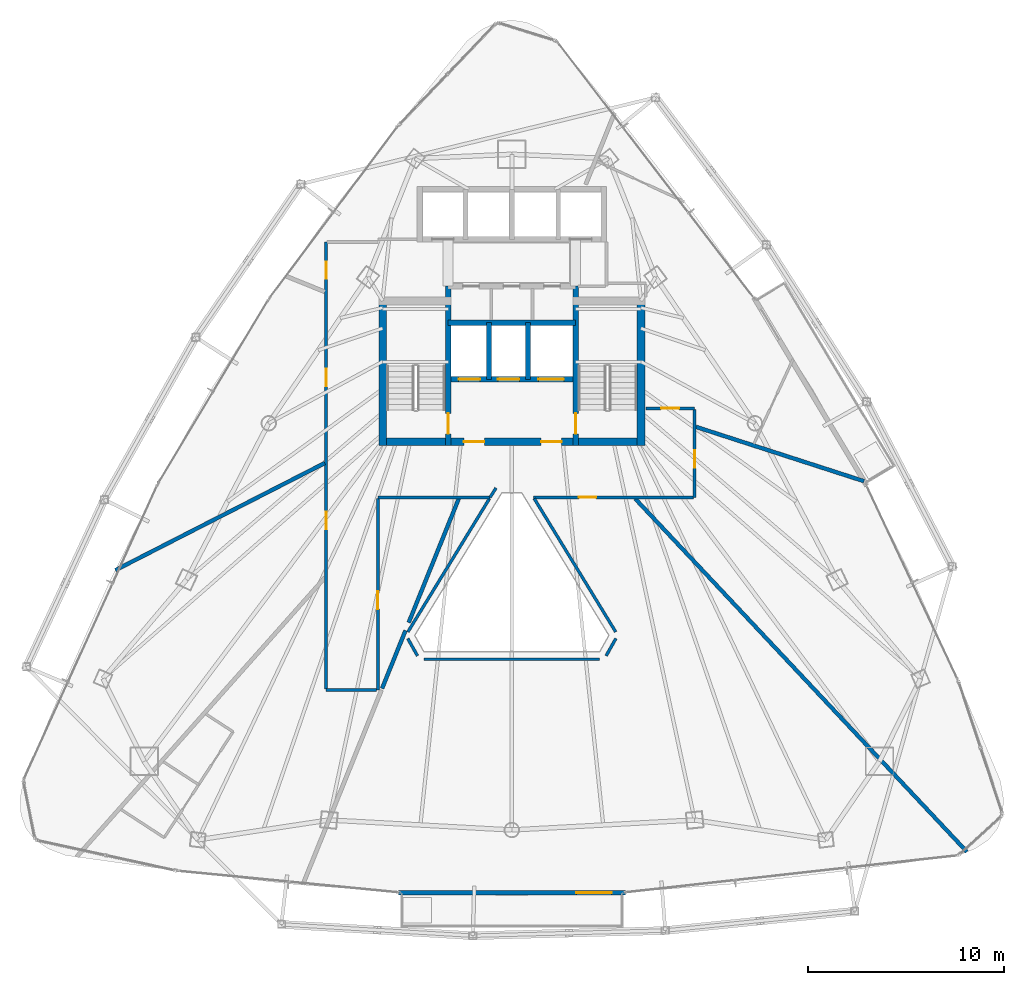
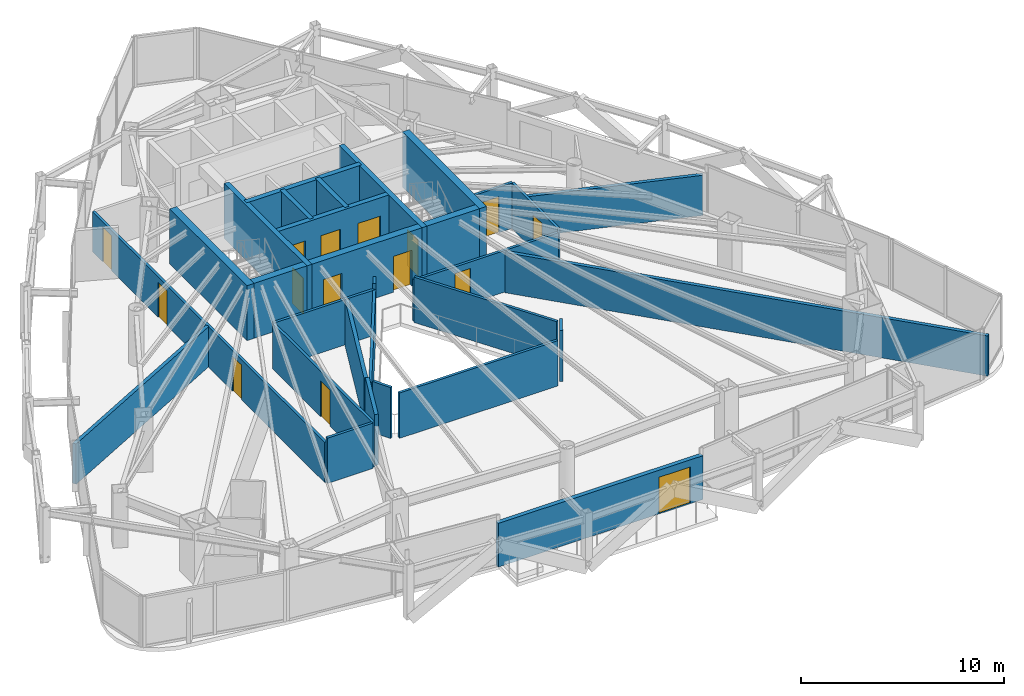
# One storey, part 27 of 31: 28 walls, 15 doors, 15 openings.
"""IFC4 building model written with IfcOpenShell, lengths in metres."""

from ifc_helpers import new_model, si_unit, direction, frame, frame_2d, origin, place, context, subcontext, project, spatial, rectangle, extrude, material, layer, layer_set, type_object, element, fill, save


model = new_model("IFC4")

# Units and contexts
model_context = context("Model", 3, precision=1e-05, world=origin(), true_north=direction((0.0, 1.0)))
body_context = subcontext(model_context, "Body", "Model", "MODEL_VIEW")
ifc_project = project(units=[si_unit("LENGTHUNIT", "METRE"), si_unit("AREAUNIT", "SQUARE_METRE"), si_unit("VOLUMEUNIT", "CUBIC_METRE"), si_unit("PLANEANGLEUNIT", "RADIAN"), si_unit("MASSUNIT", "GRAM", prefix="KILO")], contexts=[model_context])

# Site, building, storey
site_placement = place(None, origin())
site = spatial("IfcSite", under=ifc_project, at=site_placement, CompositionType="ELEMENT")
building_placement = place(site_placement, origin())
building = spatial("IfcBuilding", under=site, at=building_placement, Name="Orvanel Arch Residences", CompositionType="ELEMENT")
storey_placement = place(building_placement, frame((0.0, 0.0, 150.64990234375)))
storey = spatial("IfcBuildingStorey", under=building, at=storey_placement, Name="L42", CompositionType="ELEMENT", Elevation=150.64990234375)

# Wall, opening, door
ifc_material_1 = material(Name="Precast concrete N50 (50 MPa)", Category="concrete")
ifc_layer_1 = layer(ifc_material_1, 0.239990234375)
ifc_layer_set_1 = layer_set([ifc_layer_1], Name="Precast concrete N50 (50 MPa)")
wall_type_1 = type_object("IfcWallType", Name="EW-BAL-240", PredefinedType="SOLIDWALL", material=ifc_layer_set_1)
wall_1_placement = place(storey_placement, frame((27.197998046875, 3.64111328125, 0.0), z_axis=(0.0, 0.0, 1.0), x_axis=(1.0, 0.0, 0.0)))
wall_1 = element("IfcWall", 1, at=wall_1_placement, inside=storey, type_object=wall_type_1, Name="L42 Balcony Threshold Wall Face 2", PredefinedType="SOLIDWALL", context=body_context, shape_type="SweptSolid", body=[
    extrude(rectangle(XDim=11.60400390625, YDim=0.239990234375, at=frame_2d((5.802001953125, 0.0))), origin(), (0.0, 0.0, 1.0), 2.6240234375),
])
opening_1_placement = place(wall_1_placement, frame((9.10693359375, 0.0, 0.0)))
opening_1 = element("IfcOpeningElement", 2, at=opening_1_placement, cuts=wall_1, Name="Opening DB-180", PredefinedType="OPENING", context=body_context, shape_type="SweptSolid", body=[
    extrude(rectangle(XDim=1.800048828125, YDim=2.199951171875, at=frame_2d((0.89990234375, 1.10009765625))), frame((0.0, 0.1298828125, 0.0), z_axis=(0.0, -1.0, 0.0), x_axis=(1.0, 0.0, 0.0)), (0.0, 0.0, 1.0), 0.260009765625),
])
ifc_material_2 = material(Name="Bronze-anodised aluminium AA6063-T6", Category="aluminium")
door_type_1 = type_object("IfcDoorType", Name="DR-BAL-1800", OperationType="NOTDEFINED", PredefinedType="DOOR", material=ifc_material_2)
door_1_placement = place(opening_1_placement, origin())
door_1 = element("IfcDoor", 3, at=door_1_placement, inside=storey, type_object=door_type_1, Name="DR-L42-BAL-F2 L42 Planted Balcony Access Door Face 2", OperationType="SINGLE_SWING_LEFT", OverallHeight=2.199951171875, OverallWidth=1.800048828125, PredefinedType="DOOR", context=body_context, shape_type="SweptSolid", body=[
    extrude(rectangle(XDim=1.800048828125, YDim=2.199951171875, at=frame_2d((0.89990234375, 1.10009765625))), frame((0.0, 0.02490234375, 0.0), z_axis=(0.0, -1.0, 0.0), x_axis=(1.0, 0.0, 0.0)), (0.0, 0.0, 1.0), 0.050048828125),
])
fill(opening_1, door_1)

# Walls
ifc_material_3 = material(Name="Concrete N50 (50 MPa)", Category="concrete")
ifc_layer_2 = layer(ifc_material_3, 0.25)
ifc_layer_set_2 = layer_set([ifc_layer_2], Name="Concrete N50 (50 MPa)")
wall_type_2 = type_object("IfcWallType", Name="SW-CORE-250", PredefinedType="SHEAR", material=ifc_layer_set_2)
for number, where, z_axis, x_axis, name in (
    (4, (31.824951171875, 29.889892578125, 0.0), (0.0, 0.0, 1.0), (0.0, 1.0, 0.0), "L42 Emergency Lift Inter-Shaft Wall F12"),
    (5, (33.824951171875, 29.889892578125, 0.0), (0.0, 0.0, 1.0), (0.0, 1.0, 0.0), "L42 Emergency Lift Inter-Shaft Wall F2G"),
):
    element("IfcWall", number, at=place(storey_placement, frame(where, z_axis=z_axis, x_axis=x_axis)), inside=storey, type_object=wall_type_2, Name=name, PredefinedType="SHEAR", context=body_context, shape_type="SweptSolid", body=[
        extrude(rectangle(XDim=2.900146484375, YDim=0.25, at=frame_2d((1.4501953125, 0.0))), origin(), (0.0, 0.0, 1.0), 3.300048828125),
    ])

# Wall, opening, door
ifc_material_4 = material(Name="Concrete S65 (65 MPa)", Category="concrete")
ifc_layer_3 = layer(ifc_material_4, 0.280029296875)
ifc_layer_set_3 = layer_set([ifc_layer_3], Name="Concrete S65 (65 MPa)")
wall_type_3 = type_object("IfcWallType", Name="SW-CORE-280", PredefinedType="SHEAR", material=ifc_layer_set_3)
wall_2_placement = place(storey_placement, frame((29.739990234375, 26.5, 0.0), z_axis=(0.0, 0.0, 1.0), x_axis=(0.0, 1.0, 0.0)))
wall_2 = element("IfcWall", 6, at=wall_2_placement, inside=storey, type_object=wall_type_3, Name="L42 West Inner Core Spine Shear Wall", PredefinedType="SHEAR", context=body_context, shape_type="SweptSolid", body=[
    extrude(rectangle(XDim=8.14990234375, YDim=0.280029296875, at=frame_2d((4.074951171875, 0.0))), origin(), (0.0, 0.0, 1.0), 3.300048828125),
])
opening_2_placement = place(wall_2_placement, frame((0.60009765625, 0.0, 0.0)))
opening_2 = element("IfcOpeningElement", 7, at=opening_2_placement, cuts=wall_2, Name="Opening DF-120", PredefinedType="OPENING", context=body_context, shape_type="SweptSolid", body=[
    extrude(rectangle(XDim=1.050048828125, YDim=2.14990234375, at=frame_2d((0.52490234375, 1.074951171875))), frame((0.0, 0.14990234375, 0.0), z_axis=(0.0, -1.0, 0.0), x_axis=(1.0, 0.0, 0.0)), (0.0, 0.0, 1.0), 0.300048828125),
])
ifc_material_5 = material(Name="Galvanised steel fire-resisting door assembly", Category="steel")
door_type_2 = type_object("IfcDoorType", Name="DR-FD120-1050", OperationType="NOTDEFINED", PredefinedType="DOOR", material=ifc_material_5)
door_2_placement = place(opening_2_placement, origin())
door_2 = element("IfcDoor", 8, at=door_2_placement, inside=storey, type_object=door_type_2, Name="DR-L42-ST1 L42 Stair 1 Fire Door", OperationType="SINGLE_SWING_LEFT", OverallHeight=2.14990234375, OverallWidth=1.050048828125, PredefinedType="DOOR", context=body_context, shape_type="SweptSolid", body=[
    extrude(rectangle(XDim=1.050048828125, YDim=2.14990234375, at=frame_2d((0.52490234375, 1.074951171875))), frame((0.0, 0.02490234375, 0.0), z_axis=(0.0, -1.0, 0.0), x_axis=(1.0, 0.0, 0.0)), (0.0, 0.0, 1.0), 0.050048828125),
])
fill(opening_2, door_2)

wall_3_placement = place(storey_placement, frame((36.260009765625, 26.5, 0.0), z_axis=(0.0, 0.0, 1.0), x_axis=(0.0, 1.0, 0.0)))
wall_3 = element("IfcWall", 9, at=wall_3_placement, inside=storey, type_object=wall_type_3, Name="L42 East Inner Core Spine Shear Wall", PredefinedType="SHEAR", context=body_context, shape_type="SweptSolid", body=[
    extrude(rectangle(XDim=8.14990234375, YDim=0.280029296875, at=frame_2d((4.074951171875, 0.0))), origin(), (0.0, 0.0, 1.0), 3.300048828125),
])
opening_3_placement = place(wall_3_placement, frame((0.60009765625, 0.0, 0.0)))
opening_3 = element("IfcOpeningElement", 10, at=opening_3_placement, cuts=wall_3, Name="Opening DF-120", PredefinedType="OPENING", context=body_context, shape_type="SweptSolid", body=[
    extrude(rectangle(XDim=1.050048828125, YDim=2.14990234375, at=frame_2d((0.52490234375, 1.074951171875))), frame((0.0, 0.14990234375, 0.0), z_axis=(0.0, -1.0, 0.0), x_axis=(1.0, 0.0, 0.0)), (0.0, 0.0, 1.0), 0.300048828125),
])
door_3_placement = place(opening_3_placement, origin())
door_3 = element("IfcDoor", 11, at=door_3_placement, inside=storey, type_object=door_type_2, Name="DR-L42-ST2 L42 Stair 2 Fire Door", OperationType="SINGLE_SWING_RIGHT", OverallHeight=2.14990234375, OverallWidth=1.050048828125, PredefinedType="DOOR", context=body_context, shape_type="SweptSolid", body=[
    extrude(rectangle(XDim=1.050048828125, YDim=2.14990234375, at=frame_2d((0.52490234375, 1.074951171875))), frame((0.0, 0.02490234375, 0.0), z_axis=(0.0, -1.0, 0.0), x_axis=(1.0, 0.0, 0.0)), (0.0, 0.0, 1.0), 0.050048828125),
])
fill(opening_3, door_3)

# Wall, openings, doors
wall_4_placement = place(storey_placement, frame((36.260009765625, 29.889892578125, 0.0), z_axis=(0.0, 0.0, 1.0), x_axis=(-1.0, 0.0, 0.0)))
wall_4 = element("IfcWall", 12, at=wall_4_placement, inside=storey, type_object=wall_type_3, Name="L42 Emergency Lift Front Core Shear Wall", PredefinedType="SHEAR", context=body_context, shape_type="SweptSolid", body=[
    extrude(rectangle(XDim=6.52001953125, YDim=0.280029296875, at=frame_2d((3.260009765625, 0.0))), origin(), (0.0, 0.0, 1.0), 3.300048828125),
])
opening_4_placement = place(wall_4_placement, frame((4.875, 0.0, 0.0)))
opening_4 = element("IfcOpeningElement", 13, at=opening_4_placement, cuts=wall_4, Name="Opening LD-110", PredefinedType="OPENING", context=body_context, shape_type="SweptSolid", body=[
    extrude(rectangle(XDim=1.10009765625, YDim=2.199951171875, at=frame_2d((0.550048828125, 1.10009765625))), frame((0.0, 0.14990234375, 0.0), z_axis=(0.0, -1.0, 0.0), x_axis=(1.0, 0.0, 0.0)), (0.0, 0.0, 1.0), 0.300048828125),
])
opening_5_placement = place(wall_4_placement, frame((2.875, 0.0, 0.0)))
opening_5 = element("IfcOpeningElement", 14, at=opening_5_placement, cuts=wall_4, Name="Opening LD-110", PredefinedType="OPENING", context=body_context, shape_type="SweptSolid", body=[
    extrude(rectangle(XDim=1.10009765625, YDim=2.199951171875, at=frame_2d((0.550048828125, 1.10009765625))), frame((0.0, 0.14990234375, 0.0), z_axis=(0.0, -1.0, 0.0), x_axis=(1.0, 0.0, 0.0)), (0.0, 0.0, 1.0), 0.300048828125),
])
opening_6_placement = place(wall_4_placement, frame((0.60009765625, 0.0, 0.0)))
opening_6 = element("IfcOpeningElement", 15, at=opening_6_placement, cuts=wall_4, Name="Opening LD-130", PredefinedType="OPENING", context=body_context, shape_type="SweptSolid", body=[
    extrude(rectangle(XDim=1.300048828125, YDim=2.199951171875, at=frame_2d((0.64990234375, 1.10009765625))), frame((0.0, 0.14990234375, 0.0), z_axis=(0.0, -1.0, 0.0), x_axis=(1.0, 0.0, 0.0)), (0.0, 0.0, 1.0), 0.300048828125),
])
door_type_3 = type_object("IfcDoorType", Name="DR-LFT-1100", OperationType="NOTDEFINED", PredefinedType="DOOR", material=ifc_material_5)
door_4_placement = place(opening_4_placement, origin())
door_4 = element("IfcDoor", 16, at=door_4_placement, inside=storey, type_object=door_type_3, Name="LD-F1-L42 L42 Lift F1 Sliding Landing Door", OperationType="DOUBLE_DOOR_SLIDING", OverallHeight=2.199951171875, OverallWidth=1.10009765625, PredefinedType="DOOR", context=body_context, shape_type="SweptSolid", body=[
    extrude(rectangle(XDim=1.10009765625, YDim=2.199951171875, at=frame_2d((0.550048828125, 1.10009765625))), frame((0.0, 0.02490234375, 0.0), z_axis=(0.0, -1.0, 0.0), x_axis=(1.0, 0.0, 0.0)), (0.0, 0.0, 1.0), 0.050048828125),
])
fill(opening_4, door_4)
door_5_placement = place(opening_5_placement, origin())
door_5 = element("IfcDoor", 17, at=door_5_placement, inside=storey, type_object=door_type_3, Name="LD-F2-L42 L42 Lift F2 Sliding Landing Door", OperationType="DOUBLE_DOOR_SLIDING", OverallHeight=2.199951171875, OverallWidth=1.10009765625, PredefinedType="DOOR", context=body_context, shape_type="SweptSolid", body=[
    extrude(rectangle(XDim=1.10009765625, YDim=2.199951171875, at=frame_2d((0.550048828125, 1.10009765625))), frame((0.0, 0.02490234375, 0.0), z_axis=(0.0, -1.0, 0.0), x_axis=(1.0, 0.0, 0.0)), (0.0, 0.0, 1.0), 0.050048828125),
])
fill(opening_5, door_5)
door_type_4 = type_object("IfcDoorType", Name="DR-LFT-1300", OperationType="NOTDEFINED", PredefinedType="DOOR", material=ifc_material_5)
door_6_placement = place(opening_6_placement, origin())
door_6 = element("IfcDoor", 18, at=door_6_placement, inside=storey, type_object=door_type_4, Name="LD-G1-L42 L42 Lift G1 Sliding Landing Door", OperationType="DOUBLE_DOOR_SLIDING", OverallHeight=2.199951171875, OverallWidth=1.300048828125, PredefinedType="DOOR", context=body_context, shape_type="SweptSolid", body=[
    extrude(rectangle(XDim=1.300048828125, YDim=2.199951171875, at=frame_2d((0.64990234375, 1.10009765625))), frame((0.0, 0.02490234375, 0.0), z_axis=(0.0, -1.0, 0.0), x_axis=(1.0, 0.0, 0.0)), (0.0, 0.0, 1.0), 0.050048828125),
])
fill(opening_6, door_6)

# Wall
wall_5_placement = place(storey_placement, frame((29.739990234375, 32.7900390625, 0.0), z_axis=(0.0, 0.0, 1.0), x_axis=(1.0, 0.0, 0.0)))
element("IfcWall", 19, at=wall_5_placement, inside=storey, type_object=wall_type_3, Name="L42 Emergency Lift Back Core Shear Wall", PredefinedType="SHEAR", context=body_context, shape_type="SweptSolid", body=[
    extrude(rectangle(XDim=6.52001953125, YDim=0.280029296875, at=frame_2d((3.260009765625, 0.0))), origin(), (0.0, 0.0, 1.0), 3.300048828125),
])

# Wall, openings, doors
ifc_layer_4 = layer(ifc_material_4, 0.39990234375)
ifc_layer_set_4 = layer_set([ifc_layer_4], Name="Concrete S65 (65 MPa)")
wall_type_4 = type_object("IfcWallType", Name="SW-CORE-400", PredefinedType="SHEAR", material=ifc_layer_set_4)
wall_6_placement = place(storey_placement, frame((26.199951171875, 26.699951171875, 0.0), z_axis=(0.0, 0.0, 1.0), x_axis=(1.0, 0.0, 0.0)))
wall_6 = element("IfcWall", 20, at=wall_6_placement, inside=storey, type_object=wall_type_4, Name="L42 South Core Shear Wall", PredefinedType="SHEAR", context=body_context, shape_type="SweptSolid", body=[
    extrude(rectangle(XDim=13.60009765625, YDim=0.39990234375, at=frame_2d((6.800048828125, 0.0))), origin(), (0.0, 0.0, 1.0), 3.300048828125),
])
opening_7_placement = place(wall_6_placement, frame((4.35009765625, 0.0, 0.0)))
opening_7 = element("IfcOpeningElement", 21, at=opening_7_placement, cuts=wall_6, Name="Opening DF-060", PredefinedType="OPENING", context=body_context, shape_type="SweptSolid", body=[
    extrude(rectangle(XDim=1.050048828125, YDim=2.14990234375, at=frame_2d((0.52490234375, 1.074951171875))), frame((0.0, 0.2099609375, 0.0), z_axis=(0.0, -1.0, 0.0), x_axis=(1.0, 0.0, 0.0)), (0.0, 0.0, 1.0), 0.419921875),
])
opening_8_placement = place(wall_6_placement, frame((8.300048828125, 0.0, 0.0)))
opening_8 = element("IfcOpeningElement", 22, at=opening_8_placement, cuts=wall_6, Name="Opening DF-060", PredefinedType="OPENING", context=body_context, shape_type="SweptSolid", body=[
    extrude(rectangle(XDim=1.050048828125, YDim=2.14990234375, at=frame_2d((0.52490234375, 1.074951171875))), frame((0.0, 0.2099609375, 0.0), z_axis=(0.0, -1.0, 0.0), x_axis=(1.0, 0.0, 0.0)), (0.0, 0.0, 1.0), 0.419921875),
])
door_type_5 = type_object("IfcDoorType", Name="DR-FD60-1050", OperationType="NOTDEFINED", PredefinedType="DOOR", material=ifc_material_5)
door_7_placement = place(opening_7_placement, origin())
door_7 = element("IfcDoor", 23, at=door_7_placement, inside=storey, type_object=door_type_5, Name="DR-L42-FFL-W L42 West Smoke Lobby Door", OperationType="SINGLE_SWING_LEFT", OverallHeight=2.14990234375, OverallWidth=1.050048828125, PredefinedType="DOOR", context=body_context, shape_type="SweptSolid", body=[
    extrude(rectangle(XDim=1.050048828125, YDim=2.14990234375, at=frame_2d((0.52490234375, 1.074951171875))), frame((0.0, 0.02490234375, 0.0), z_axis=(0.0, -1.0, 0.0), x_axis=(1.0, 0.0, 0.0)), (0.0, 0.0, 1.0), 0.050048828125),
])
fill(opening_7, door_7)
door_8_placement = place(opening_8_placement, origin())
door_8 = element("IfcDoor", 24, at=door_8_placement, inside=storey, type_object=door_type_5, Name="DR-L42-FFL-E L42 East Smoke Lobby Door", OperationType="SINGLE_SWING_RIGHT", OverallHeight=2.14990234375, OverallWidth=1.050048828125, PredefinedType="DOOR", context=body_context, shape_type="SweptSolid", body=[
    extrude(rectangle(XDim=1.050048828125, YDim=2.14990234375, at=frame_2d((0.52490234375, 1.074951171875))), frame((0.0, 0.02490234375, 0.0), z_axis=(0.0, -1.0, 0.0), x_axis=(1.0, 0.0, 0.0)), (0.0, 0.0, 1.0), 0.050048828125),
])
fill(opening_8, door_8)

# Walls
for number, where, z_axis, x_axis, name in (
    (25, (26.39990234375, 26.5, 0.0), (0.0, 0.0, 1.0), (0.0, 1.0, 0.0), "L42 West Stair Shear Wall"),
    (26, (39.60009765625, 26.5, 0.0), (0.0, 0.0, 1.0), (0.0, 1.0, 0.0), "L42 East Stair Shear Wall"),
):
    element("IfcWall", number, at=place(storey_placement, frame(where, z_axis=z_axis, x_axis=x_axis)), inside=storey, type_object=wall_type_4, Name=name, PredefinedType="SHEAR", context=body_context, shape_type="SweptSolid", body=[
        extrude(rectangle(XDim=7.60009765625, YDim=0.39990234375, at=frame_2d((3.800048828125, 0.0))), origin(), (0.0, 0.0, 1.0), 3.300048828125),
    ])
ifc_material_6 = material(Name="Fire-rated plasterboard lined steel stud partition", Category="steel")
ifc_layer_5 = layer(ifc_material_6, 0.14990234375)
ifc_layer_set_5 = layer_set([ifc_layer_5], Name="Fire-rated plasterboard lined steel stud partition")
wall_type_5 = type_object("IfcWallType", Name="W-COR-150", PredefinedType="PARTITIONING", material=ifc_layer_set_5)
wall_7_placement = place(storey_placement, frame((32.19189453125, 24.3359375, 0.0), z_axis=(0.0, 0.0, 1.0), x_axis=(-0.529155471054, -0.848524889119, 0.0)))
element("IfcWall", 27, at=wall_7_placement, inside=storey, type_object=wall_type_5, Name="L42 Corridor Fire-Rated Partition", PredefinedType="PARTITIONING", context=body_context, shape_type="SweptSolid", body=[
    extrude(rectangle(XDim=0.572509765625, YDim=0.14990234375, at=frame_2d((0.2861328125, 0.0))), origin(), (0.0, 0.0, 1.0), 3.06005859375),
])
wall_8_placement = place(storey_placement, frame((31.888916015625, 23.85009765625, 0.0), z_axis=(0.0, 0.0, 1.0), x_axis=(-1.0, 0.0, 0.0)))
element("IfcWall", 28, at=wall_8_placement, inside=storey, type_object=wall_type_5, Name="L42 Corridor Fire-Rated Partition", PredefinedType="PARTITIONING", context=body_context, shape_type="SweptSolid", body=[
    extrude(rectangle(XDim=5.739013671875, YDim=0.14990234375, at=frame_2d((2.86962890625, 0.0))), origin(), (0.0, 0.0, 1.0), 2.72119140625),
])

# Wall, opening, door
wall_9_placement = place(storey_placement, frame((26.14990234375, 23.7900390625, 0.0), z_axis=(0.0, 0.0, 1.0), x_axis=(0.0, -1.0, 0.0)))
wall_9 = element("IfcWall", 29, at=wall_9_placement, inside=storey, type_object=wall_type_5, Name="L42 Corridor Fire-Rated Partition", PredefinedType="PARTITIONING", context=body_context, shape_type="SweptSolid", body=[
    extrude(rectangle(XDim=9.7900390625, YDim=0.14990234375, at=frame_2d((4.89501953125, 0.0))), origin(), (0.0, 0.0, 1.0), 2.72119140625),
])
opening_9_placement = place(wall_9_placement, frame((4.72705078125, 0.0, 0.0)))
opening_9 = element("IfcOpeningElement", 30, at=opening_9_placement, cuts=wall_9, Name="Opening DA-092", PredefinedType="OPENING", context=body_context, shape_type="SweptSolid", body=[
    extrude(rectangle(XDim=0.919921875, YDim=2.14990234375, at=frame_2d((0.4599609375, 1.074951171875))), frame((0.0, 0.0849609375, 0.0), z_axis=(0.0, -1.0, 0.0), x_axis=(1.0, 0.0, 0.0)), (0.0, 0.0, 1.0), 0.169921875),
])
ifc_material_7 = material(Name="Solid-core European oak veneer fire door leaf", Category="wood")
door_type_6 = type_object("IfcDoorType", Name="DR-APT-920", OperationType="NOTDEFINED", PredefinedType="DOOR", material=ifc_material_7)
door_9_placement = place(opening_9_placement, origin())
door_9 = element("IfcDoor", 31, at=door_9_placement, inside=storey, type_object=door_type_6, Name="DR-L42-A-ENT L42 Studio A Entrance Door", OperationType="SINGLE_SWING_RIGHT", OverallHeight=2.14990234375, OverallWidth=0.919921875, PredefinedType="DOOR", context=body_context, shape_type="SweptSolid", body=[
    extrude(rectangle(XDim=0.919921875, YDim=2.14990234375, at=frame_2d((0.4599609375, 1.074951171875))), frame((0.0, 0.02490234375, 0.0), z_axis=(0.0, -1.0, 0.0), x_axis=(1.0, 0.0, 0.0)), (0.0, 0.0, 1.0), 0.050048828125),
])
fill(opening_9, door_9)

# Wall
wall_10_placement = place(storey_placement, frame((26.090087890625, 14.0, 0.0), z_axis=(0.0, 0.0, 1.0), x_axis=(-1.0, 0.0, 0.0)))
element("IfcWall", 32, at=wall_10_placement, inside=storey, type_object=wall_type_5, Name="L42 Corridor Fire-Rated Partition", PredefinedType="PARTITIONING", context=body_context, shape_type="SweptSolid", body=[
    extrude(rectangle(XDim=2.590087890625, YDim=0.14990234375, at=frame_2d((1.294921875, 0.0))), origin(), (0.0, 0.0, 1.0), 2.72119140625),
])

# Wall, openings, doors
wall_11_placement = place(storey_placement, frame((23.5, 14.06005859375, 0.0), z_axis=(0.0, 0.0, 1.0), x_axis=(0.0, 1.0, 0.0)))
wall_11 = element("IfcWall", 33, at=wall_11_placement, inside=storey, type_object=wall_type_5, Name="L42 Corridor Fire-Rated Partition", PredefinedType="PARTITIONING", context=body_context, shape_type="SweptSolid", body=[
    extrude(rectangle(XDim=22.83984375, YDim=0.14990234375, at=frame_2d((11.419921875, 0.0))), origin(), (0.0, 0.0, 1.0), 2.4130859375),
])
opening_10_placement = place(wall_11_placement, frame((8.172119140625, 0.0, 0.0)))
opening_10 = element("IfcOpeningElement", 34, at=opening_10_placement, cuts=wall_11, Name="Opening DI-088", PredefinedType="OPENING", context=body_context, shape_type="SweptSolid", body=[
    extrude(rectangle(XDim=0.8798828125, YDim=2.10009765625, at=frame_2d((0.43994140625, 1.050048828125))), frame((0.0, 0.0849609375, 0.0), z_axis=(0.0, -1.0, 0.0), x_axis=(1.0, 0.0, 0.0)), (0.0, 0.0, 1.0), 0.169921875),
])
opening_11_placement = place(wall_11_placement, frame((20.968994140625, 0.0, 0.0)))
opening_11 = element("IfcOpeningElement", 35, at=opening_11_placement, cuts=wall_11, Name="Opening DI-088", PredefinedType="OPENING", context=body_context, shape_type="SweptSolid", body=[
    extrude(rectangle(XDim=0.8798828125, YDim=2.10009765625, at=frame_2d((0.43994140625, 1.050048828125))), frame((0.0, 0.0849609375, 0.0), z_axis=(0.0, -1.0, 0.0), x_axis=(1.0, 0.0, 0.0)), (0.0, 0.0, 1.0), 0.169921875),
])
opening_12_placement = place(wall_11_placement, frame((15.48388671875, 0.0, 0.0)))
opening_12 = element("IfcOpeningElement", 36, at=opening_12_placement, cuts=wall_11, Name="Opening DI-088", PredefinedType="OPENING", context=body_context, shape_type="SweptSolid", body=[
    extrude(rectangle(XDim=0.8798828125, YDim=2.10009765625, at=frame_2d((0.43994140625, 1.050048828125))), frame((0.0, 0.0849609375, 0.0), z_axis=(0.0, -1.0, 0.0), x_axis=(1.0, 0.0, 0.0)), (0.0, 0.0, 1.0), 0.169921875),
])
door_type_7 = type_object("IfcDoorType", Name="DR-INT-880", OperationType="NOTDEFINED", PredefinedType="DOOR", material=ifc_material_7)
door_10_placement = place(opening_10_placement, origin())
door_10 = element("IfcDoor", 37, at=door_10_placement, inside=storey, type_object=door_type_7, Name="DR-L42-CAR42-1 L42 Allied Health Therapy Room 1 Door", OperationType="SINGLE_SWING_LEFT", OverallHeight=2.10009765625, OverallWidth=0.8798828125, PredefinedType="DOOR", context=body_context, shape_type="SweptSolid", body=[
    extrude(rectangle(XDim=0.8798828125, YDim=2.10009765625, at=frame_2d((0.43994140625, 1.050048828125))), frame((0.0, 0.02490234375, 0.0), z_axis=(0.0, -1.0, 0.0), x_axis=(1.0, 0.0, 0.0)), (0.0, 0.0, 1.0), 0.050048828125),
])
fill(opening_10, door_10)
door_11_placement = place(opening_11_placement, origin())
door_11 = element("IfcDoor", 38, at=door_11_placement, inside=storey, type_object=door_type_7, Name="DR-L42-SHRD-FB3 L42 Co-Working Study Office C Door", OperationType="SINGLE_SWING_LEFT", OverallHeight=2.10009765625, OverallWidth=0.8798828125, PredefinedType="DOOR", context=body_context, shape_type="SweptSolid", body=[
    extrude(rectangle(XDim=0.8798828125, YDim=2.10009765625, at=frame_2d((0.43994140625, 1.050048828125))), frame((0.0, 0.02490234375, 0.0), z_axis=(0.0, -1.0, 0.0), x_axis=(1.0, 0.0, 0.0)), (0.0, 0.0, 1.0), 0.050048828125),
])
fill(opening_11, door_11)
door_12_placement = place(opening_12_placement, origin())
door_12 = element("IfcDoor", 39, at=door_12_placement, inside=storey, type_object=door_type_7, Name="DR-L42-SHRD-FB4 L42 Co-Working Study Office D Door", OperationType="SINGLE_SWING_LEFT", OverallHeight=2.10009765625, OverallWidth=0.8798828125, PredefinedType="DOOR", context=body_context, shape_type="SweptSolid", body=[
    extrude(rectangle(XDim=0.8798828125, YDim=2.10009765625, at=frame_2d((0.43994140625, 1.050048828125))), frame((0.0, 0.02490234375, 0.0), z_axis=(0.0, -1.0, 0.0), x_axis=(1.0, 0.0, 0.0)), (0.0, 0.0, 1.0), 0.050048828125),
])
fill(opening_12, door_12)

# Wall, opening, door
wall_12_placement = place(storey_placement, frame((39.85009765625, 28.39990234375, 0.0), z_axis=(0.0, 0.0, 1.0), x_axis=(1.0, 0.0, 0.0)))
wall_12 = element("IfcWall", 40, at=wall_12_placement, inside=storey, type_object=wall_type_5, Name="L42 Corridor Fire-Rated Partition", PredefinedType="PARTITIONING", context=body_context, shape_type="SweptSolid", body=[
    extrude(rectangle(XDim=2.5, YDim=0.14990234375, at=frame_2d((1.25, 0.0))), origin(), (0.0, 0.0, 1.0), 2.72119140625),
])
opening_13_placement = place(wall_12_placement, frame((0.7900390625, 0.0, 0.0)))
opening_13 = element("IfcOpeningElement", 41, at=opening_13_placement, cuts=wall_12, Name="Opening DA-092", PredefinedType="OPENING", context=body_context, shape_type="SweptSolid", body=[
    extrude(rectangle(XDim=0.919921875, YDim=2.14990234375, at=frame_2d((0.4599609375, 1.074951171875))), frame((0.0, 0.0849609375, 0.0), z_axis=(0.0, -1.0, 0.0), x_axis=(1.0, 0.0, 0.0)), (0.0, 0.0, 1.0), 0.169921875),
])
door_13_placement = place(opening_13_placement, origin())
door_13 = element("IfcDoor", 42, at=door_13_placement, inside=storey, type_object=door_type_6, Name="DR-L42-B-ENT L42 Studio B Entrance Door", OperationType="SINGLE_SWING_LEFT", OverallHeight=2.14990234375, OverallWidth=0.919921875, PredefinedType="DOOR", context=body_context, shape_type="SweptSolid", body=[
    extrude(rectangle(XDim=0.919921875, YDim=2.14990234375, at=frame_2d((0.4599609375, 1.074951171875))), frame((0.0, 0.02490234375, 0.0), z_axis=(0.0, -1.0, 0.0), x_axis=(1.0, 0.0, 0.0)), (0.0, 0.0, 1.0), 0.050048828125),
])
fill(opening_13, door_13)

wall_13_placement = place(storey_placement, frame((42.35009765625, 28.340087890625, 0.0), z_axis=(0.0, 0.0, 1.0), x_axis=(0.0, -1.0, 0.0)))
wall_13 = element("IfcWall", 43, at=wall_13_placement, inside=storey, type_object=wall_type_5, Name="L42 Corridor Fire-Rated Partition", PredefinedType="PARTITIONING", context=body_context, shape_type="SweptSolid", body=[
    extrude(rectangle(XDim=4.489990234375, YDim=0.14990234375, at=frame_2d((2.2451171875, 0.0))), origin(), (0.0, 0.0, 1.0), 2.72119140625),
])
opening_14_placement = place(wall_13_placement, frame((2.0859375, 0.0, 0.0)))
opening_14 = element("IfcOpeningElement", 44, at=opening_14_placement, cuts=wall_13, Name="Opening DI-088", PredefinedType="OPENING", context=body_context, shape_type="SweptSolid", body=[
    extrude(rectangle(XDim=0.8798828125, YDim=2.10009765625, at=frame_2d((0.43994140625, 1.050048828125))), frame((0.0, 0.0849609375, 0.0), z_axis=(0.0, -1.0, 0.0), x_axis=(1.0, 0.0, 0.0)), (0.0, 0.0, 1.0), 0.169921875),
])
door_14_placement = place(opening_14_placement, origin())
door_14 = element("IfcDoor", 45, at=door_14_placement, inside=storey, type_object=door_type_7, Name="DR-L42-STU42-2 L42 Quiet Study Room 2 Door", OperationType="SINGLE_SWING_LEFT", OverallHeight=2.10009765625, OverallWidth=0.8798828125, PredefinedType="DOOR", context=body_context, shape_type="SweptSolid", body=[
    extrude(rectangle(XDim=0.8798828125, YDim=2.10009765625, at=frame_2d((0.43994140625, 1.050048828125))), frame((0.0, 0.02490234375, 0.0), z_axis=(0.0, -1.0, 0.0), x_axis=(1.0, 0.0, 0.0)), (0.0, 0.0, 1.0), 0.050048828125),
])
fill(opening_14, door_14)

wall_14_placement = place(storey_placement, frame((42.2900390625, 23.85009765625, 0.0), z_axis=(0.0, 0.0, 1.0), x_axis=(-1.0, 0.0, 0.0)))
wall_14 = element("IfcWall", 46, at=wall_14_placement, inside=storey, type_object=wall_type_5, Name="L42 Corridor Fire-Rated Partition", PredefinedType="PARTITIONING", context=body_context, shape_type="SweptSolid", body=[
    extrude(rectangle(XDim=8.178955078125, YDim=0.14990234375, at=frame_2d((4.08935546875, 0.0))), origin(), (0.0, 0.0, 1.0), 2.4921875),
])
opening_15_placement = place(wall_14_placement, frame((4.97998046875, 0.0, 0.0)))
opening_15 = element("IfcOpeningElement", 47, at=opening_15_placement, cuts=wall_14, Name="Opening DI-088", PredefinedType="OPENING", context=body_context, shape_type="SweptSolid", body=[
    extrude(rectangle(XDim=0.8798828125, YDim=2.10009765625, at=frame_2d((0.43994140625, 1.050048828125))), frame((0.0, 0.0849609375, 0.0), z_axis=(0.0, -1.0, 0.0), x_axis=(1.0, 0.0, 0.0)), (0.0, 0.0, 1.0), 0.169921875),
])
door_15_placement = place(opening_15_placement, origin())
door_15 = element("IfcDoor", 48, at=door_15_placement, inside=storey, type_object=door_type_7, Name="DR-L42-STU42-1 L42 Quiet Study Room 1 Door", OperationType="SINGLE_SWING_LEFT", OverallHeight=2.10009765625, OverallWidth=0.8798828125, PredefinedType="DOOR", context=body_context, shape_type="SweptSolid", body=[
    extrude(rectangle(XDim=0.8798828125, YDim=2.10009765625, at=frame_2d((0.43994140625, 1.050048828125))), frame((0.0, 0.02490234375, 0.0), z_axis=(0.0, -1.0, 0.0), x_axis=(1.0, 0.0, 0.0)), (0.0, 0.0, 1.0), 0.050048828125),
])
fill(opening_15, door_15)

# Walls
wall_15_placement = place(storey_placement, frame((34.14697265625, 23.7900390625, 0.0), z_axis=(0.0, 0.0, 1.0), x_axis=(0.521429001816, -0.853294671298, 0.0)))
element("IfcWall", 49, at=wall_15_placement, inside=storey, type_object=wall_type_5, Name="L42 Atrium Overlook Glazed Partition", PredefinedType="PARTITIONING", context=body_context, shape_type="SweptSolid", body=[
    extrude(rectangle(XDim=7.991455078125, YDim=0.14990234375, at=frame_2d((3.99560546875, 0.0))), origin(), (0.0, 0.0, 1.0), 2.72119140625),
])
wall_16_placement = place(storey_placement, frame((38.320068359375, 16.635009765625, 0.0), z_axis=(0.0, 0.0, 1.0), x_axis=(-0.489202035948, -0.872170492521, 0.0)))
element("IfcWall", 50, at=wall_16_placement, inside=storey, type_object=wall_type_5, Name="L42 Atrium Overlook Glazed Partition", PredefinedType="PARTITIONING", context=body_context, shape_type="SweptSolid", body=[
    extrude(rectangle(XDim=1.01806640625, YDim=0.14990234375, at=frame_2d((0.509033203125, 0.0))), origin(), (0.0, 0.0, 1.0), 3.06005859375),
])
wall_17_placement = place(storey_placement, frame((37.492919921875, 15.574951171875, 0.0), z_axis=(0.0, 0.0, 1.0), x_axis=(-1.0, 0.0, 0.0)))
element("IfcWall", 51, at=wall_17_placement, inside=storey, type_object=wall_type_5, Name="L42 Atrium Overlook Glazed Partition", PredefinedType="PARTITIONING", context=body_context, shape_type="SweptSolid", body=[
    extrude(rectangle(XDim=8.98681640625, YDim=0.14990234375, at=frame_2d((4.493408203125, 0.0))), origin(), (0.0, 0.0, 1.0), 2.72119140625),
])
wall_18_placement = place(storey_placement, frame((28.177978515625, 15.7470703125, 0.0), z_axis=(0.0, 0.0, 1.0), x_axis=(-0.489202035948, 0.872170492521, 0.0)))
element("IfcWall", 52, at=wall_18_placement, inside=storey, type_object=wall_type_5, Name="L42 Atrium Overlook Glazed Partition", PredefinedType="PARTITIONING", context=body_context, shape_type="SweptSolid", body=[
    extrude(rectangle(XDim=1.01806640625, YDim=0.14990234375, at=frame_2d((0.509033203125, 0.0))), origin(), (0.0, 0.0, 1.0), 3.06005859375),
])
wall_19_placement = place(storey_placement, frame((27.68603515625, 16.970947265625, 0.0), z_axis=(0.0, 0.0, 1.0), x_axis=(0.521873666917, 0.853022787374, 0.0)))
element("IfcWall", 53, at=wall_19_placement, inside=storey, type_object=wall_type_5, Name="L42 Atrium Overlook Glazed Partition", PredefinedType="PARTITIONING", context=body_context, shape_type="SweptSolid", body=[
    extrude(rectangle(XDim=7.994140625, YDim=0.14990234375, at=frame_2d((3.9970703125, 0.0))), origin(), (0.0, 0.0, 1.0), 2.72119140625),
])
ifc_layer_6 = layer(ifc_material_6, 0.199951171875)
ifc_layer_set_6 = layer_set([ifc_layer_6], Name="Fire-rated plasterboard lined steel stud partition")
wall_type_6 = type_object("IfcWallType", Name="W-DEM-200", PredefinedType="PARTITIONING", material=ifc_layer_set_6)
wall_20_placement = place(storey_placement, frame((39.303955078125, 23.7900390625, 0.0), z_axis=(0.0, 0.0, 1.0), x_axis=(0.684750154022, -0.72877789934, 0.0)))
element("IfcWall", 54, at=wall_20_placement, inside=storey, type_object=wall_type_6, Name="L42 Inter-Tenancy Acoustic Demising Wall", PredefinedType="PARTITIONING", context=body_context, shape_type="SweptSolid", body=[
    extrude(rectangle(XDim=24.78125, YDim=0.199951171875, at=frame_2d((12.390625, 0.0))), origin(), (0.0, 0.0, 1.0), 2.4130859375),
])
wall_21_placement = place(storey_placement, frame((26.364990234375, 14.077880859375, 0.0), z_axis=(0.0, 0.0, 1.0), x_axis=(0.374557626207, 0.927203637099, 0.0)))
element("IfcWall", 55, at=wall_21_placement, inside=storey, type_object=wall_type_6, Name="L42 Inter-Tenancy Acoustic Demising Wall", PredefinedType="PARTITIONING", context=body_context, shape_type="SweptSolid", body=[
    extrude(rectangle(XDim=3.200927734375, YDim=0.199951171875, at=frame_2d((1.6005859375, 0.0))), origin(), (0.0, 0.0, 1.0), 3.06005859375),
])
wall_22_placement = place(storey_placement, frame((27.72802734375, 17.451904296875, 0.0), z_axis=(0.0, 0.0, 1.0), x_axis=(0.374639602714, 0.927170517261, 0.0)))
element("IfcWall", 56, at=wall_22_placement, inside=storey, type_object=wall_type_6, Name="L42 Inter-Tenancy Acoustic Demising Wall", PredefinedType="PARTITIONING", context=body_context, shape_type="SweptSolid", body=[
    extrude(rectangle(XDim=6.8359375, YDim=0.199951171875, at=frame_2d((3.41796875, 0.0))), origin(), (0.0, 0.0, 1.0), 2.72119140625),
])
wall_23_placement = place(storey_placement, frame((42.409912109375, 27.458984375, 0.0), z_axis=(0.0, 0.0, 1.0), x_axis=(0.951531988225, -0.307549793343, 0.0)))
element("IfcWall", 57, at=wall_23_placement, inside=storey, type_object=wall_type_6, Name="L42 Inter-Tenancy Acoustic Demising Wall", PredefinedType="PARTITIONING", context=body_context, shape_type="SweptSolid", body=[
    extrude(rectangle(XDim=9.0361328125, YDim=0.199951171875, at=frame_2d((4.51806640625, 0.0))), origin(), (0.0, 0.0, 1.0), 2.4130859375),
])
wall_24_placement = place(storey_placement, frame((12.72802734375, 20.1298828125, 0.0), z_axis=(0.0, 0.0, 1.0), x_axis=(0.890257920911, 0.455456731486, 0.0)))
element("IfcWall", 58, at=wall_24_placement, inside=storey, type_object=wall_type_6, Name="L42 Inter-Tenancy Acoustic Demising Wall", PredefinedType="PARTITIONING", context=body_context, shape_type="SweptSolid", body=[
    extrude(rectangle(XDim=12.032470703125, YDim=0.199951171875, at=frame_2d((6.01611328125, 0.0))), origin(), (0.0, 0.0, 1.0), 2.4130859375),
])

save(model, "model.ifc")
